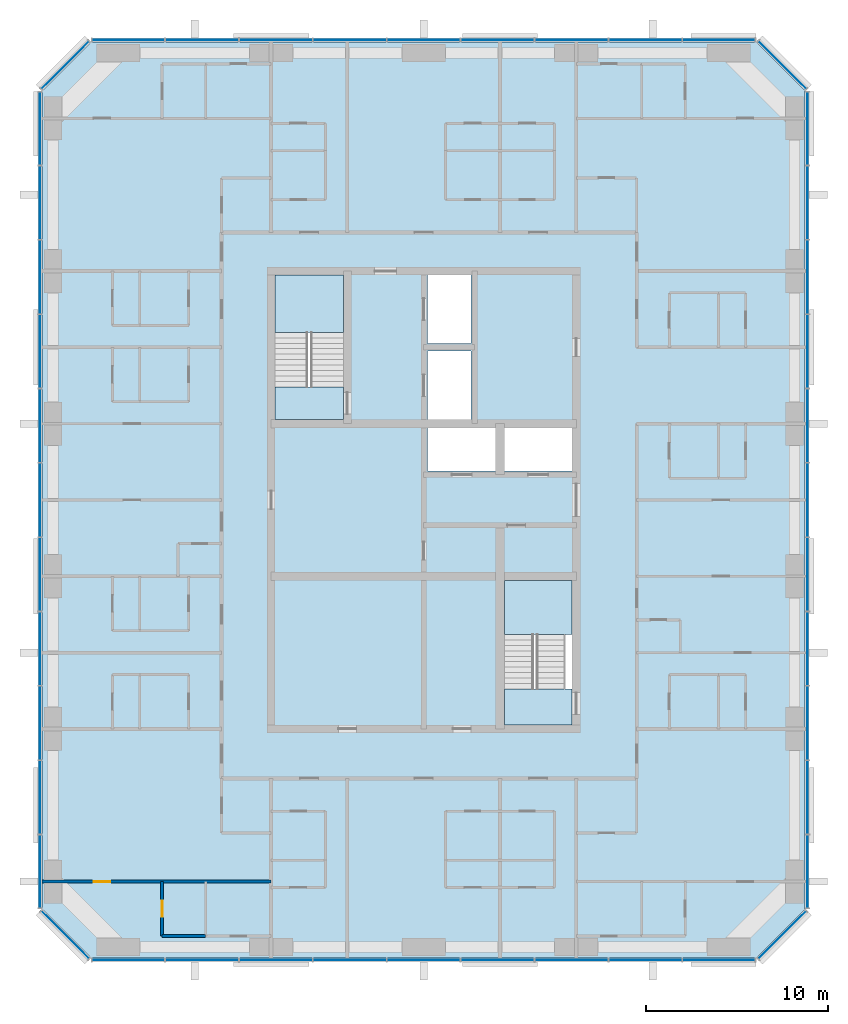
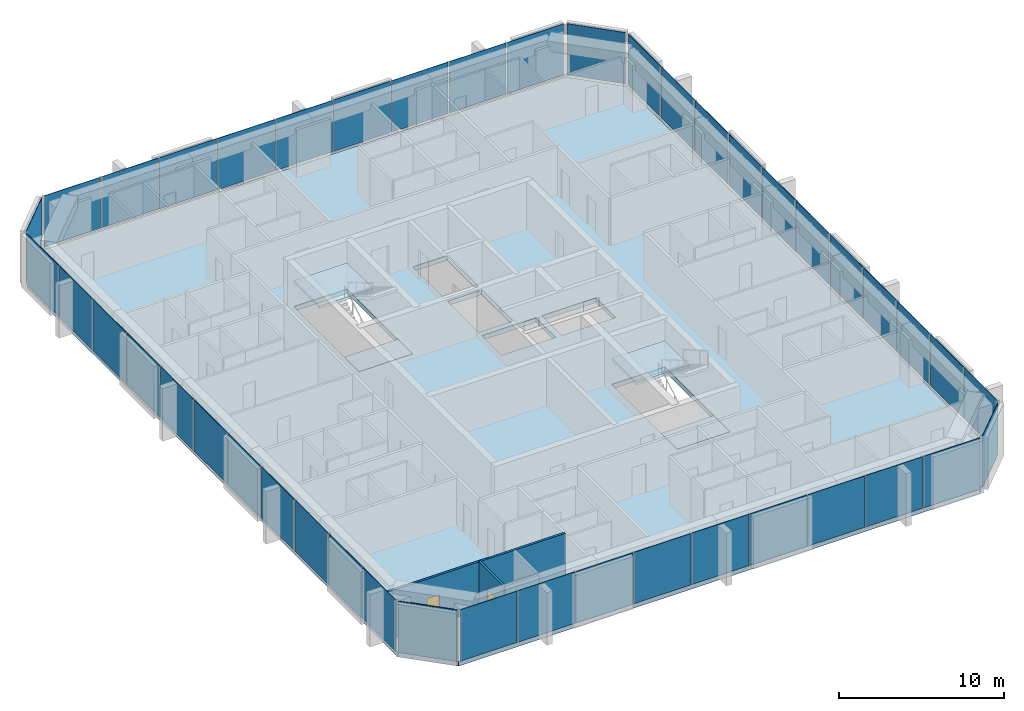
# One storey, part 6 of 12: 44 plates, 5 slabs, 3 walls, 2 doors, 2 openings, 10 elements without a shape of their own.
"""IFC4 building model written with IfcOpenShell, lengths in metres."""

from ifc_helpers import new_model, si_unit, direction, frame, frame_2d, origin, origin_2d, place, context, subcontext, project, spatial, polyline, rectangle, outline, extrude, material, layer, layer_set, type_object, element, fill, aggregate, save


model = new_model("IFC4")

# Units and contexts
model_context = context("Model", 3, precision=1e-05, world=origin(), true_north=direction((0.0, 1.0)))
body_context = subcontext(model_context, "Body", "Model", "MODEL_VIEW")
ifc_project = project(units=[si_unit("LENGTHUNIT", "METRE"), si_unit("AREAUNIT", "SQUARE_METRE"), si_unit("VOLUMEUNIT", "CUBIC_METRE"), si_unit("PLANEANGLEUNIT", "RADIAN"), si_unit("MASSUNIT", "GRAM", prefix="KILO")], contexts=[model_context])

# Site, building, storey
site_placement = place(None, origin())
site = spatial("IfcSite", under=ifc_project, at=site_placement, CompositionType="ELEMENT")
building_placement = place(site_placement, origin())
building = spatial("IfcBuilding", under=site, at=building_placement, Name="Dunama Terrace Hotel", CompositionType="ELEMENT")
storey_placement = place(building_placement, frame((0.0, 0.0, 272.39990234375)))
storey = spatial("IfcBuildingStorey", under=building, at=storey_placement, Name="L70", CompositionType="ELEMENT", Elevation=272.39990234375)

# Curtain wall, plates
ifc_material_1 = material(Name="Aluminium curtain wall system", Category="aluminium")
curtain_wall_type = type_object("IfcCurtainWallType", Name="Unitised fritted glass wall CW-D", PredefinedType="NOTDEFINED", material=ifc_material_1)
curtain_wall_1_placement = place(storey_placement, origin())
curtain_wall_1 = element("IfcCurtainWall", 1, at=curtain_wall_1_placement, inside=storey, type_object=curtain_wall_type, Name="Unitised fritted glass wall CW-D L70", PredefinedType="NOTDEFINED")
ifc_material_2 = material(Name="Laminated glass", Category="glass")
ifc_layer_1 = layer(ifc_material_2, 0.035888671875)
ifc_layer_set_1 = layer_set([ifc_layer_1], Name="CWD clear glass panel")
plate_type_1 = type_object("IfcPlateType", Name="CWD clear glass panel", PredefinedType="CURTAIN_PANEL", material=ifc_layer_set_1)
plate_1_placement = place(storey_placement, frame((17.35107421875, 4.080078125, 0.085205078125), z_axis=(0.0, 0.0, 1.0), x_axis=(1.0, 0.0, 0.0)))
plate_1 = element("IfcPlate", 2, at=plate_1_placement, type_object=plate_type_1, Name="CWD clear glass panel", PredefinedType="CURTAIN_PANEL", context=body_context, shape_type="SweptSolid", body=[
    extrude(rectangle(XDim=3.961669921875, YDim=0.035888671875, at=origin_2d()), origin(), (0.0, 0.0, 1.0), 3.81494140625),
])
plate_2_placement = place(storey_placement, frame((29.532958984375, 4.080078125, 0.085205078125), z_axis=(0.0, 0.0, 1.0), x_axis=(1.0, 0.0, 0.0)))
plate_2 = element("IfcPlate", 3, at=plate_2_placement, type_object=plate_type_1, Name="CWD clear glass panel", PredefinedType="CURTAIN_PANEL", context=body_context, shape_type="SweptSolid", body=[
    extrude(rectangle(XDim=3.99658203125, YDim=0.035888671875, at=origin_2d()), origin(), (0.0, 0.0, 1.0), 3.81494140625),
])
plate_3_placement = place(storey_placement, frame((41.73291015625, 4.080078125, 0.085205078125), z_axis=(0.0, 0.0, 1.0), x_axis=(1.0, 0.0, 0.0)))
plate_3 = element("IfcPlate", 4, at=plate_3_placement, type_object=plate_type_1, Name="CWD clear glass panel", PredefinedType="CURTAIN_PANEL", context=body_context, shape_type="SweptSolid", body=[
    extrude(rectangle(XDim=3.99658203125, YDim=0.035888671875, at=origin_2d()), origin(), (0.0, 0.0, 1.0), 3.81494140625),
])

# Curtain wall, plate
curtain_wall_2_placement = place(storey_placement, origin())
curtain_wall_2 = element("IfcCurtainWall", 5, at=curtain_wall_2_placement, inside=storey, type_object=curtain_wall_type, Name="Unitised fritted glass wall CW-D L70", PredefinedType="NOTDEFINED")
plate_4_placement = place(storey_placement, frame((53.3349609375, 5.465087890625, 0.085205078125), z_axis=(0.0, 0.0, 1.0), x_axis=(0.707106781187, 0.707106781187, 0.0)))
plate_4 = element("IfcPlate", 6, at=plate_4_placement, type_object=plate_type_1, Name="CWD clear glass panel", PredefinedType="CURTAIN_PANEL", context=body_context, shape_type="SweptSolid", body=[
    extrude(rectangle(XDim=3.678466796875, YDim=0.035888671875, at=origin_2d()), origin(), (0.0, 0.0, 1.0), 3.81494140625),
])
aggregate(curtain_wall_2, [plate_4])

# Curtain wall, plates
curtain_wall_3_placement = place(storey_placement, origin())
curtain_wall_3 = element("IfcCurtainWall", 7, at=curtain_wall_3_placement, inside=storey, type_object=curtain_wall_type, Name="Unitised fritted glass wall CW-D L70", PredefinedType="NOTDEFINED")
plate_5_placement = place(storey_placement, frame((54.719970703125, 17.126953125, 0.085205078125), z_axis=(0.0, 0.0, 1.0), x_axis=(0.0, 1.0, 0.0)))
plate_5 = element("IfcPlate", 8, at=plate_5_placement, type_object=plate_type_1, Name="CWD clear glass panel", PredefinedType="CURTAIN_PANEL", context=body_context, shape_type="SweptSolid", body=[
    extrude(rectangle(XDim=4.02099609375, YDim=0.035888671875, at=origin_2d()), origin(), (0.0, 0.0, 1.0), 3.81494140625),
])
plate_6_placement = place(storey_placement, frame((54.719970703125, 29.39990234375, 0.085205078125), z_axis=(0.0, 0.0, 1.0), x_axis=(0.0, 1.0, 0.0)))
plate_6 = element("IfcPlate", 9, at=plate_6_placement, type_object=plate_type_1, Name="CWD clear glass panel", PredefinedType="CURTAIN_PANEL", context=body_context, shape_type="SweptSolid", body=[
    extrude(rectangle(XDim=4.02099609375, YDim=0.035888671875, at=origin_2d()), origin(), (0.0, 0.0, 1.0), 3.81494140625),
])
plate_7_placement = place(storey_placement, frame((54.719970703125, 41.673095703125, 0.085205078125), z_axis=(0.0, 0.0, 1.0), x_axis=(0.0, 1.0, 0.0)))
plate_7 = element("IfcPlate", 10, at=plate_7_placement, type_object=plate_type_1, Name="CWD clear glass panel", PredefinedType="CURTAIN_PANEL", context=body_context, shape_type="SweptSolid", body=[
    extrude(rectangle(XDim=4.02099609375, YDim=0.035888671875, at=origin_2d()), origin(), (0.0, 0.0, 1.0), 3.81494140625),
])

# Curtain wall, plate
curtain_wall_4_placement = place(storey_placement, origin())
curtain_wall_4 = element("IfcCurtainWall", 11, at=curtain_wall_4_placement, inside=storey, type_object=curtain_wall_type, Name="Unitised fritted glass wall CW-D L70", PredefinedType="NOTDEFINED")
plate_8_placement = place(storey_placement, frame((53.3349609375, 53.3349609375, 0.085205078125), z_axis=(0.0, 0.0, 1.0), x_axis=(-0.707106781187, 0.707106781187, 0.0)))
plate_8 = element("IfcPlate", 12, at=plate_8_placement, type_object=plate_type_1, Name="CWD clear glass panel", PredefinedType="CURTAIN_PANEL", context=body_context, shape_type="SweptSolid", body=[
    extrude(rectangle(XDim=3.678466796875, YDim=0.035888671875, at=origin_2d()), origin(), (0.0, 0.0, 1.0), 3.81494140625),
])
aggregate(curtain_wall_4, [plate_8])

# Curtain wall, plates
curtain_wall_5_placement = place(storey_placement, origin())
curtain_wall_5 = element("IfcCurtainWall", 13, at=curtain_wall_5_placement, inside=storey, type_object=curtain_wall_type, Name="Unitised fritted glass wall CW-D L70", PredefinedType="NOTDEFINED")
plate_9_placement = place(storey_placement, frame((41.73291015625, 54.719970703125, 0.085205078125), z_axis=(0.0, 0.0, 1.0), x_axis=(-1.0, 0.0, 0.0)))
plate_9 = element("IfcPlate", 14, at=plate_9_placement, type_object=plate_type_1, Name="CWD clear glass panel", PredefinedType="CURTAIN_PANEL", context=body_context, shape_type="SweptSolid", body=[
    extrude(rectangle(XDim=3.99658203125, YDim=0.035888671875, at=origin_2d()), origin(), (0.0, 0.0, 1.0), 3.81494140625),
])
plate_10_placement = place(storey_placement, frame((29.532958984375, 54.719970703125, 0.085205078125), z_axis=(0.0, 0.0, 1.0), x_axis=(-1.0, 0.0, 0.0)))
plate_10 = element("IfcPlate", 15, at=plate_10_placement, type_object=plate_type_1, Name="CWD clear glass panel", PredefinedType="CURTAIN_PANEL", context=body_context, shape_type="SweptSolid", body=[
    extrude(rectangle(XDim=3.99658203125, YDim=0.035888671875, at=origin_2d()), origin(), (0.0, 0.0, 1.0), 3.81494140625),
])
plate_11_placement = place(storey_placement, frame((17.35107421875, 54.719970703125, 0.085205078125), z_axis=(0.0, 0.0, 1.0), x_axis=(-1.0, 0.0, 0.0)))
plate_11 = element("IfcPlate", 16, at=plate_11_placement, type_object=plate_type_1, Name="CWD clear glass panel", PredefinedType="CURTAIN_PANEL", context=body_context, shape_type="SweptSolid", body=[
    extrude(rectangle(XDim=3.961669921875, YDim=0.035888671875, at=origin_2d()), origin(), (0.0, 0.0, 1.0), 3.81494140625),
])

curtain_wall_6_placement = place(storey_placement, origin())
curtain_wall_6 = element("IfcCurtainWall", 17, at=curtain_wall_6_placement, inside=storey, type_object=curtain_wall_type, Name="Unitised fritted glass wall CW-D L70", PredefinedType="NOTDEFINED")
plate_12_placement = place(storey_placement, frame((12.47998046875, 45.763916015625, 0.085205078125), z_axis=(0.0, 0.0, 1.0), x_axis=(0.0, -1.0, 0.0)))
plate_12 = element("IfcPlate", 18, at=plate_12_placement, type_object=plate_type_1, Name="CWD clear glass panel", PredefinedType="CURTAIN_PANEL", context=body_context, shape_type="SweptSolid", body=[
    extrude(rectangle(XDim=4.02099609375, YDim=0.035888671875, at=origin_2d()), origin(), (0.0, 0.0, 1.0), 3.81494140625),
])
plate_13_placement = place(storey_placement, frame((12.47998046875, 33.490966796875, 0.085205078125), z_axis=(0.0, 0.0, 1.0), x_axis=(0.0, -1.0, 0.0)))
plate_13 = element("IfcPlate", 19, at=plate_13_placement, type_object=plate_type_1, Name="CWD clear glass panel", PredefinedType="CURTAIN_PANEL", context=body_context, shape_type="SweptSolid", body=[
    extrude(rectangle(XDim=4.02099609375, YDim=0.035888671875, at=origin_2d()), origin(), (0.0, 0.0, 1.0), 3.81494140625),
])
plate_14_placement = place(storey_placement, frame((12.47998046875, 21.218017578125, 0.085205078125), z_axis=(0.0, 0.0, 1.0), x_axis=(0.0, -1.0, 0.0)))
plate_14 = element("IfcPlate", 20, at=plate_14_placement, type_object=plate_type_1, Name="CWD clear glass panel", PredefinedType="CURTAIN_PANEL", context=body_context, shape_type="SweptSolid", body=[
    extrude(rectangle(XDim=4.02099609375, YDim=0.035888671875, at=origin_2d()), origin(), (0.0, 0.0, 1.0), 3.81494140625),
])
plate_15_placement = place(storey_placement, frame((12.47998046875, 8.962890625, 0.085205078125), z_axis=(0.0, 0.0, 1.0), x_axis=(0.0, -1.0, 0.0)))
plate_15 = element("IfcPlate", 21, at=plate_15_placement, type_object=plate_type_1, Name="CWD clear glass panel", PredefinedType="CURTAIN_PANEL", context=body_context, shape_type="SweptSolid", body=[
    extrude(rectangle(XDim=3.98583984375, YDim=0.035888671875, at=origin_2d()), origin(), (0.0, 0.0, 1.0), 3.81494140625),
])

# Plate
ifc_material_3 = material(Name="Fritted laminated glass", Category="glass")
ifc_layer_2 = layer(ifc_material_3, 0.035888671875)
ifc_layer_set_2 = layer_set([ifc_layer_2], Name="CWD fritted glass panel")
plate_type_2 = type_object("IfcPlateType", Name="CWD fritted glass panel", PredefinedType="CURTAIN_PANEL", material=ifc_layer_set_2)
plate_16_placement = place(storey_placement, frame((25.467041015625, 4.080078125, 0.085205078125), z_axis=(0.0, 0.0, 1.0), x_axis=(1.0, 0.0, 0.0)))
plate_16 = element("IfcPlate", 22, at=plate_16_placement, type_object=plate_type_2, Name="CWD fritted glass panel", PredefinedType="CURTAIN_PANEL", context=body_context, shape_type="SweptSolid", body=[
    extrude(rectangle(XDim=3.99658203125, YDim=0.035888671875, at=origin_2d()), origin(), (0.0, 0.0, 1.0), 3.81494140625),
])

plate_17_placement = place(storey_placement, frame((37.6669921875, 4.080078125, 0.085205078125), z_axis=(0.0, 0.0, 1.0), x_axis=(1.0, 0.0, 0.0)))
plate_17 = element("IfcPlate", 23, at=plate_17_placement, type_object=plate_type_2, Name="CWD fritted glass panel", PredefinedType="CURTAIN_PANEL", context=body_context, shape_type="SweptSolid", body=[
    extrude(rectangle(XDim=3.99658203125, YDim=0.035888671875, at=origin_2d()), origin(), (0.0, 0.0, 1.0), 3.81494140625),
])

plate_18_placement = place(storey_placement, frame((49.84912109375, 4.080078125, 0.085205078125), z_axis=(0.0, 0.0, 1.0), x_axis=(1.0, 0.0, 0.0)))
plate_18 = element("IfcPlate", 24, at=plate_18_placement, type_object=plate_type_2, Name="CWD fritted glass panel", PredefinedType="CURTAIN_PANEL", context=body_context, shape_type="SweptSolid", body=[
    extrude(rectangle(XDim=3.961669921875, YDim=0.035888671875, at=origin_2d()), origin(), (0.0, 0.0, 1.0), 3.81494140625),
])

plate_19_placement = place(storey_placement, frame((54.719970703125, 13.035888671875, 0.085205078125), z_axis=(0.0, 0.0, 1.0), x_axis=(0.0, 1.0, 0.0)))
plate_19 = element("IfcPlate", 25, at=plate_19_placement, type_object=plate_type_2, Name="CWD fritted glass panel", PredefinedType="CURTAIN_PANEL", context=body_context, shape_type="SweptSolid", body=[
    extrude(rectangle(XDim=4.02099609375, YDim=0.035888671875, at=origin_2d()), origin(), (0.0, 0.0, 1.0), 3.81494140625),
])

plate_20_placement = place(storey_placement, frame((54.719970703125, 25.30908203125, 0.085205078125), z_axis=(0.0, 0.0, 1.0), x_axis=(0.0, 1.0, 0.0)))
plate_20 = element("IfcPlate", 26, at=plate_20_placement, type_object=plate_type_2, Name="CWD fritted glass panel", PredefinedType="CURTAIN_PANEL", context=body_context, shape_type="SweptSolid", body=[
    extrude(rectangle(XDim=4.02099609375, YDim=0.035888671875, at=origin_2d()), origin(), (0.0, 0.0, 1.0), 3.81494140625),
])

plate_21_placement = place(storey_placement, frame((54.719970703125, 37.58203125, 0.085205078125), z_axis=(0.0, 0.0, 1.0), x_axis=(0.0, 1.0, 0.0)))
plate_21 = element("IfcPlate", 27, at=plate_21_placement, type_object=plate_type_2, Name="CWD fritted glass panel", PredefinedType="CURTAIN_PANEL", context=body_context, shape_type="SweptSolid", body=[
    extrude(rectangle(XDim=4.02099609375, YDim=0.035888671875, at=origin_2d()), origin(), (0.0, 0.0, 1.0), 3.81494140625),
])

plate_22_placement = place(storey_placement, frame((54.719970703125, 49.8369140625, 0.085205078125), z_axis=(0.0, 0.0, 1.0), x_axis=(0.0, 1.0, 0.0)))
plate_22 = element("IfcPlate", 28, at=plate_22_placement, type_object=plate_type_2, Name="CWD fritted glass panel", PredefinedType="CURTAIN_PANEL", context=body_context, shape_type="SweptSolid", body=[
    extrude(rectangle(XDim=3.98583984375, YDim=0.035888671875, at=origin_2d()), origin(), (0.0, 0.0, 1.0), 3.81494140625),
])

plate_23_placement = place(storey_placement, frame((45.800048828125, 54.719970703125, 0.085205078125), z_axis=(0.0, 0.0, 1.0), x_axis=(-1.0, 0.0, 0.0)))
plate_23 = element("IfcPlate", 29, at=plate_23_placement, type_object=plate_type_2, Name="CWD fritted glass panel", PredefinedType="CURTAIN_PANEL", context=body_context, shape_type="SweptSolid", body=[
    extrude(rectangle(XDim=3.99658203125, YDim=0.035888671875, at=origin_2d()), origin(), (0.0, 0.0, 1.0), 3.81494140625),
])

plate_24_placement = place(storey_placement, frame((33.60009765625, 54.719970703125, 0.085205078125), z_axis=(0.0, 0.0, 1.0), x_axis=(-1.0, 0.0, 0.0)))
plate_24 = element("IfcPlate", 30, at=plate_24_placement, type_object=plate_type_2, Name="CWD fritted glass panel", PredefinedType="CURTAIN_PANEL", context=body_context, shape_type="SweptSolid", body=[
    extrude(rectangle(XDim=3.99658203125, YDim=0.035888671875, at=origin_2d()), origin(), (0.0, 0.0, 1.0), 3.81494140625),
])

plate_25_placement = place(storey_placement, frame((21.39990234375, 54.719970703125, 0.085205078125), z_axis=(0.0, 0.0, 1.0), x_axis=(-1.0, 0.0, 0.0)))
plate_25 = element("IfcPlate", 31, at=plate_25_placement, type_object=plate_type_2, Name="CWD fritted glass panel", PredefinedType="CURTAIN_PANEL", context=body_context, shape_type="SweptSolid", body=[
    extrude(rectangle(XDim=3.99658203125, YDim=0.035888671875, at=origin_2d()), origin(), (0.0, 0.0, 1.0), 3.81494140625),
])

plate_26_placement = place(storey_placement, frame((12.47998046875, 49.8369140625, 0.085205078125), z_axis=(0.0, 0.0, 1.0), x_axis=(0.0, -1.0, 0.0)))
plate_26 = element("IfcPlate", 32, at=plate_26_placement, type_object=plate_type_2, Name="CWD fritted glass panel", PredefinedType="CURTAIN_PANEL", context=body_context, shape_type="SweptSolid", body=[
    extrude(rectangle(XDim=3.98583984375, YDim=0.035888671875, at=origin_2d()), origin(), (0.0, 0.0, 1.0), 3.81494140625),
])

plate_27_placement = place(storey_placement, frame((12.47998046875, 37.58203125, 0.085205078125), z_axis=(0.0, 0.0, 1.0), x_axis=(0.0, -1.0, 0.0)))
plate_27 = element("IfcPlate", 33, at=plate_27_placement, type_object=plate_type_2, Name="CWD fritted glass panel", PredefinedType="CURTAIN_PANEL", context=body_context, shape_type="SweptSolid", body=[
    extrude(rectangle(XDim=4.02099609375, YDim=0.035888671875, at=origin_2d()), origin(), (0.0, 0.0, 1.0), 3.81494140625),
])

plate_28_placement = place(storey_placement, frame((12.47998046875, 25.30908203125, 0.085205078125), z_axis=(0.0, 0.0, 1.0), x_axis=(0.0, -1.0, 0.0)))
plate_28 = element("IfcPlate", 34, at=plate_28_placement, type_object=plate_type_2, Name="CWD fritted glass panel", PredefinedType="CURTAIN_PANEL", context=body_context, shape_type="SweptSolid", body=[
    extrude(rectangle(XDim=4.02099609375, YDim=0.035888671875, at=origin_2d()), origin(), (0.0, 0.0, 1.0), 3.81494140625),
])

plate_29_placement = place(storey_placement, frame((12.47998046875, 13.035888671875, 0.085205078125), z_axis=(0.0, 0.0, 1.0), x_axis=(0.0, -1.0, 0.0)))
plate_29 = element("IfcPlate", 35, at=plate_29_placement, type_object=plate_type_2, Name="CWD fritted glass panel", PredefinedType="CURTAIN_PANEL", context=body_context, shape_type="SweptSolid", body=[
    extrude(rectangle(XDim=4.02099609375, YDim=0.035888671875, at=origin_2d()), origin(), (0.0, 0.0, 1.0), 3.81494140625),
])

ifc_material_4 = material(Name="Laminated glass", Category="glass")
ifc_layer_3 = layer(ifc_material_4, 0.035888671875)
ifc_layer_set_3 = layer_set([ifc_layer_3], Name="CWD operable glass panel")
plate_type_3 = type_object("IfcPlateType", Name="CWD operable glass panel", PredefinedType="CURTAIN_PANEL", material=ifc_layer_set_3)
plate_30_placement = place(storey_placement, frame((21.39990234375, 4.080078125, 0.085205078125), z_axis=(0.0, 0.0, 1.0), x_axis=(1.0, 0.0, 0.0)))
plate_30 = element("IfcPlate", 36, at=plate_30_placement, type_object=plate_type_3, Name="CWD operable glass panel", PredefinedType="CURTAIN_PANEL", context=body_context, shape_type="SweptSolid", body=[
    extrude(rectangle(XDim=3.99658203125, YDim=0.035888671875, at=origin_2d()), origin(), (0.0, 0.0, 1.0), 3.81494140625),
])

plate_31_placement = place(storey_placement, frame((33.60009765625, 4.080078125, 0.085205078125), z_axis=(0.0, 0.0, 1.0), x_axis=(1.0, 0.0, 0.0)))
plate_31 = element("IfcPlate", 37, at=plate_31_placement, type_object=plate_type_3, Name="CWD operable glass panel", PredefinedType="CURTAIN_PANEL", context=body_context, shape_type="SweptSolid", body=[
    extrude(rectangle(XDim=3.99658203125, YDim=0.035888671875, at=origin_2d()), origin(), (0.0, 0.0, 1.0), 3.81494140625),
])

plate_32_placement = place(storey_placement, frame((45.800048828125, 4.080078125, 0.085205078125), z_axis=(0.0, 0.0, 1.0), x_axis=(1.0, 0.0, 0.0)))
plate_32 = element("IfcPlate", 38, at=plate_32_placement, type_object=plate_type_3, Name="CWD operable glass panel", PredefinedType="CURTAIN_PANEL", context=body_context, shape_type="SweptSolid", body=[
    extrude(rectangle(XDim=3.99658203125, YDim=0.035888671875, at=origin_2d()), origin(), (0.0, 0.0, 1.0), 3.81494140625),
])

aggregate(curtain_wall_1, [plate_1, plate_30, plate_16, plate_2, plate_31, plate_17, plate_3, plate_32, plate_18])

plate_33_placement = place(storey_placement, frame((54.719970703125, 8.962890625, 0.085205078125), z_axis=(0.0, 0.0, 1.0), x_axis=(0.0, 1.0, 0.0)))
plate_33 = element("IfcPlate", 39, at=plate_33_placement, type_object=plate_type_3, Name="CWD operable glass panel", PredefinedType="CURTAIN_PANEL", context=body_context, shape_type="SweptSolid", body=[
    extrude(rectangle(XDim=3.98583984375, YDim=0.035888671875, at=origin_2d()), origin(), (0.0, 0.0, 1.0), 3.81494140625),
])

plate_34_placement = place(storey_placement, frame((54.719970703125, 21.218017578125, 0.085205078125), z_axis=(0.0, 0.0, 1.0), x_axis=(0.0, 1.0, 0.0)))
plate_34 = element("IfcPlate", 40, at=plate_34_placement, type_object=plate_type_3, Name="CWD operable glass panel", PredefinedType="CURTAIN_PANEL", context=body_context, shape_type="SweptSolid", body=[
    extrude(rectangle(XDim=4.02099609375, YDim=0.035888671875, at=origin_2d()), origin(), (0.0, 0.0, 1.0), 3.81494140625),
])

plate_35_placement = place(storey_placement, frame((54.719970703125, 33.490966796875, 0.085205078125), z_axis=(0.0, 0.0, 1.0), x_axis=(0.0, 1.0, 0.0)))
plate_35 = element("IfcPlate", 41, at=plate_35_placement, type_object=plate_type_3, Name="CWD operable glass panel", PredefinedType="CURTAIN_PANEL", context=body_context, shape_type="SweptSolid", body=[
    extrude(rectangle(XDim=4.02099609375, YDim=0.035888671875, at=origin_2d()), origin(), (0.0, 0.0, 1.0), 3.81494140625),
])

plate_36_placement = place(storey_placement, frame((54.719970703125, 45.763916015625, 0.085205078125), z_axis=(0.0, 0.0, 1.0), x_axis=(0.0, 1.0, 0.0)))
plate_36 = element("IfcPlate", 42, at=plate_36_placement, type_object=plate_type_3, Name="CWD operable glass panel", PredefinedType="CURTAIN_PANEL", context=body_context, shape_type="SweptSolid", body=[
    extrude(rectangle(XDim=4.02099609375, YDim=0.035888671875, at=origin_2d()), origin(), (0.0, 0.0, 1.0), 3.81494140625),
])

aggregate(curtain_wall_3, [plate_33, plate_19, plate_5, plate_34, plate_20, plate_6, plate_35, plate_21, plate_7, plate_36, plate_22])

plate_37_placement = place(storey_placement, frame((49.84912109375, 54.719970703125, 0.085205078125), z_axis=(0.0, 0.0, 1.0), x_axis=(-1.0, 0.0, 0.0)))
plate_37 = element("IfcPlate", 43, at=plate_37_placement, type_object=plate_type_3, Name="CWD operable glass panel", PredefinedType="CURTAIN_PANEL", context=body_context, shape_type="SweptSolid", body=[
    extrude(rectangle(XDim=3.961669921875, YDim=0.035888671875, at=origin_2d()), origin(), (0.0, 0.0, 1.0), 3.81494140625),
])

plate_38_placement = place(storey_placement, frame((37.6669921875, 54.719970703125, 0.085205078125), z_axis=(0.0, 0.0, 1.0), x_axis=(-1.0, 0.0, 0.0)))
plate_38 = element("IfcPlate", 44, at=plate_38_placement, type_object=plate_type_3, Name="CWD operable glass panel", PredefinedType="CURTAIN_PANEL", context=body_context, shape_type="SweptSolid", body=[
    extrude(rectangle(XDim=3.99658203125, YDim=0.035888671875, at=origin_2d()), origin(), (0.0, 0.0, 1.0), 3.81494140625),
])

plate_39_placement = place(storey_placement, frame((25.467041015625, 54.719970703125, 0.085205078125), z_axis=(0.0, 0.0, 1.0), x_axis=(-1.0, 0.0, 0.0)))
plate_39 = element("IfcPlate", 45, at=plate_39_placement, type_object=plate_type_3, Name="CWD operable glass panel", PredefinedType="CURTAIN_PANEL", context=body_context, shape_type="SweptSolid", body=[
    extrude(rectangle(XDim=3.99658203125, YDim=0.035888671875, at=origin_2d()), origin(), (0.0, 0.0, 1.0), 3.81494140625),
])

aggregate(curtain_wall_5, [plate_37, plate_23, plate_9, plate_38, plate_24, plate_10, plate_39, plate_25, plate_11])

# Curtain wall, plate
curtain_wall_7_placement = place(storey_placement, origin())
curtain_wall_7 = element("IfcCurtainWall", 46, at=curtain_wall_7_placement, inside=storey, type_object=curtain_wall_type, Name="Unitised fritted glass wall CW-D L70", PredefinedType="NOTDEFINED")
plate_40_placement = place(storey_placement, frame((13.864990234375, 53.3349609375, 0.085205078125), z_axis=(0.0, 0.0, 1.0), x_axis=(-0.707106781187, -0.707106781187, 0.0)))
plate_40 = element("IfcPlate", 47, at=plate_40_placement, type_object=plate_type_3, Name="CWD operable glass panel", PredefinedType="CURTAIN_PANEL", context=body_context, shape_type="SweptSolid", body=[
    extrude(rectangle(XDim=3.678466796875, YDim=0.035888671875, at=origin_2d()), origin(), (0.0, 0.0, 1.0), 3.81494140625),
])
aggregate(curtain_wall_7, [plate_40])

# Plate
plate_41_placement = place(storey_placement, frame((12.47998046875, 41.673095703125, 0.085205078125), z_axis=(0.0, 0.0, 1.0), x_axis=(0.0, -1.0, 0.0)))
plate_41 = element("IfcPlate", 48, at=plate_41_placement, type_object=plate_type_3, Name="CWD operable glass panel", PredefinedType="CURTAIN_PANEL", context=body_context, shape_type="SweptSolid", body=[
    extrude(rectangle(XDim=4.02099609375, YDim=0.035888671875, at=origin_2d()), origin(), (0.0, 0.0, 1.0), 3.81494140625),
])

plate_42_placement = place(storey_placement, frame((12.47998046875, 29.39990234375, 0.085205078125), z_axis=(0.0, 0.0, 1.0), x_axis=(0.0, -1.0, 0.0)))
plate_42 = element("IfcPlate", 49, at=plate_42_placement, type_object=plate_type_3, Name="CWD operable glass panel", PredefinedType="CURTAIN_PANEL", context=body_context, shape_type="SweptSolid", body=[
    extrude(rectangle(XDim=4.02099609375, YDim=0.035888671875, at=origin_2d()), origin(), (0.0, 0.0, 1.0), 3.81494140625),
])

plate_43_placement = place(storey_placement, frame((12.47998046875, 17.126953125, 0.085205078125), z_axis=(0.0, 0.0, 1.0), x_axis=(0.0, -1.0, 0.0)))
plate_43 = element("IfcPlate", 50, at=plate_43_placement, type_object=plate_type_3, Name="CWD operable glass panel", PredefinedType="CURTAIN_PANEL", context=body_context, shape_type="SweptSolid", body=[
    extrude(rectangle(XDim=4.02099609375, YDim=0.035888671875, at=origin_2d()), origin(), (0.0, 0.0, 1.0), 3.81494140625),
])

aggregate(curtain_wall_6, [plate_26, plate_12, plate_41, plate_27, plate_13, plate_42, plate_28, plate_14, plate_43, plate_29, plate_15])

# Curtain wall, plate
curtain_wall_8_placement = place(storey_placement, origin())
curtain_wall_8 = element("IfcCurtainWall", 51, at=curtain_wall_8_placement, inside=storey, type_object=curtain_wall_type, Name="Unitised fritted glass wall CW-D L70", PredefinedType="NOTDEFINED")
plate_44_placement = place(storey_placement, frame((13.864990234375, 5.465087890625, 0.085205078125), z_axis=(0.0, 0.0, 1.0), x_axis=(0.707106781187, -0.707106781187, 0.0)))
plate_44 = element("IfcPlate", 52, at=plate_44_placement, type_object=plate_type_3, Name="CWD operable glass panel", PredefinedType="CURTAIN_PANEL", context=body_context, shape_type="SweptSolid", body=[
    extrude(rectangle(XDim=3.678466796875, YDim=0.035888671875, at=origin_2d()), origin(), (0.0, 0.0, 1.0), 3.81494140625),
])
aggregate(curtain_wall_8, [plate_44])

# Slab
ifc_material_5 = material(Name="Concrete C40/50", Category="concrete")
ifc_layer_4 = layer(ifc_material_5, 0.35009765625)
ifc_layer_set_4 = layer_set([ifc_layer_4], Name="Flat plate 350")
slab_type_1 = type_object("IfcSlabType", Name="Flat plate 350", PredefinedType="FLOOR", material=ifc_layer_set_4)
slab_1_placement = place(storey_placement, frame((0.0, 0.0, -0.349853515625)))
element("IfcSlab", 53, at=slab_1_placement, inside=storey, type_object=slab_type_1, Name="Floor slab L70", PredefinedType="FLOOR", context=body_context, shape_type="SweptSolid", body=[
    extrude(outline(polyline([(15.300048828125, 4.199951171875), (51.89990234375, 4.199951171875), (54.60009765625, 6.89990234375), (54.60009765625, 51.89990234375), (51.89990234375, 54.60009765625), (15.300048828125, 54.60009765625), (12.60009765625, 51.89990234375), (12.60009765625, 6.89990234375), (15.300048828125, 4.199951171875)]), holes=[polyline([(37.60009765625, 31.0), (37.60009765625, 33.39990234375), (33.800048828125, 33.39990234375), (33.800048828125, 31.0), (37.60009765625, 31.0)]), polyline([(41.800048828125, 31.0), (41.800048828125, 33.39990234375), (38.0, 33.39990234375), (38.0, 31.0), (41.800048828125, 31.0)]), polyline([(36.199951171875, 38.0), (36.199951171875, 41.800048828125), (33.800048828125, 41.800048828125), (33.800048828125, 38.0), (36.199951171875, 38.0)]), polyline([(36.199951171875, 33.800048828125), (36.199951171875, 37.60009765625), (33.800048828125, 37.60009765625), (33.800048828125, 33.800048828125), (36.199951171875, 33.800048828125)]), polyline([(29.175048828125, 33.824951171875), (29.175048828125, 41.77490234375), (25.425048828125, 41.77490234375), (25.425048828125, 33.824951171875), (29.175048828125, 33.824951171875)]), polyline([(41.77490234375, 17.02490234375), (41.77490234375, 24.97509765625), (38.050048828125, 24.97509765625), (38.050048828125, 17.02490234375), (41.77490234375, 17.02490234375)])]), origin(), (0.0, 0.0, 1.0), 0.349853515625),
])

# Stair, slabs
ifc_material_6 = material(Name="Concrete C40/50", Category="concrete")
stair_type_1 = type_object("IfcStairType", Name="Stair ST1-3900-1800", PredefinedType="HALF_TURN_STAIR", material=ifc_material_6)
stair_1_placement = place(storey_placement, origin())
stair_1 = element("IfcStair", 54, at=stair_1_placement, inside=storey, type_object=stair_type_1, Name="Stair ST1 L70", PredefinedType="HALF_TURN_STAIR")
ifc_material_7 = material(Name="Concrete C40/50", Category="concrete")
ifc_layer_5 = layer(ifc_material_7, 0.199951171875)
ifc_layer_set_5 = layer_set([ifc_layer_5], Name="Stair landing 200")
slab_type_2 = type_object("IfcSlabType", Name="Stair landing 200", PredefinedType="LANDING", material=ifc_layer_set_5)
slab_2_placement = place(storey_placement, frame((0.0, 0.0, -0.199951171875)))
slab_2 = element("IfcSlab", 55, at=slab_2_placement, type_object=slab_type_2, Name="ST1 landing 1, type S10", PredefinedType="LANDING", context=body_context, shape_type="SweptSolid", body=[
    extrude(outline(polyline([(25.425048828125, 33.824951171875), (29.175048828125, 33.824951171875), (29.175048828125, 35.625), (25.425048828125, 35.625), (25.425048828125, 33.824951171875)])), origin(), (0.0, 0.0, 1.0), 0.199951171875),
])
slab_3_placement = place(storey_placement, frame((0.0, 0.0, 1.75)))
slab_3 = element("IfcSlab", 56, at=slab_3_placement, type_object=slab_type_2, Name="ST1 landing 2, type S10", PredefinedType="LANDING", context=body_context, shape_type="SweptSolid", body=[
    extrude(outline(polyline([(25.425048828125, 38.625), (29.175048828125, 38.625), (29.175048828125, 41.77490234375), (25.425048828125, 41.77490234375), (25.425048828125, 38.625)])), origin(), (0.0, 0.0, 1.0), 0.2001953125),
])
aggregate(stair_1, [slab_2, slab_3])

ifc_material_8 = material(Name="Concrete C40/50", Category="concrete")
stair_type_2 = type_object("IfcStairType", Name="Stair ST2-3900-1600", PredefinedType="HALF_TURN_STAIR", material=ifc_material_8)
stair_2_placement = place(storey_placement, origin())
stair_2 = element("IfcStair", 57, at=stair_2_placement, inside=storey, type_object=stair_type_2, Name="Stair ST2 L70", PredefinedType="HALF_TURN_STAIR")
slab_4_placement = place(storey_placement, frame((0.0, 0.0, -0.199951171875)))
slab_4 = element("IfcSlab", 58, at=slab_4_placement, type_object=slab_type_2, Name="ST2 landing 1, type S10", PredefinedType="LANDING", context=body_context, shape_type="SweptSolid", body=[
    extrude(outline(polyline([(38.050048828125, 17.02490234375), (41.77490234375, 17.02490234375), (41.77490234375, 19.0), (38.050048828125, 19.0), (38.050048828125, 17.02490234375)])), origin(), (0.0, 0.0, 1.0), 0.199951171875),
])
slab_5_placement = place(storey_placement, frame((0.0, 0.0, 1.75)))
slab_5 = element("IfcSlab", 59, at=slab_5_placement, type_object=slab_type_2, Name="ST2 landing 2, type S10", PredefinedType="LANDING", context=body_context, shape_type="SweptSolid", body=[
    extrude(outline(polyline([(38.050048828125, 22.0), (41.77490234375, 22.0), (41.77490234375, 24.97509765625), (38.050048828125, 24.97509765625), (38.050048828125, 22.0)])), origin(), (0.0, 0.0, 1.0), 0.2001953125),
])
aggregate(stair_2, [slab_4, slab_5])

# Wall, opening, door
ifc_material_9 = material(Name="Gypsum board partition", Category="masonry")
ifc_layer_6 = layer(ifc_material_9, 0.14990234375)
ifc_layer_set_6 = layer_set([ifc_layer_6], Name="Room partition 150")
wall_type = type_object("IfcWallType", Name="Room partition 150", PredefinedType="PARTITIONING", material=ifc_layer_set_6)
wall_1_placement = place(storey_placement, frame((19.199951171875, 5.39990234375, 0.0), z_axis=(0.0, 0.0, 1.0), x_axis=(0.0, 1.0, 0.0)))
wall_1 = element("IfcWall", 60, at=wall_1_placement, inside=storey, type_object=wall_type, Name="Room partition 150 L70", PredefinedType="PARTITIONING", context=body_context, shape_type="SweptSolid", body=[
    extrude(rectangle(XDim=3.0, YDim=0.14990234375, at=frame_2d((1.5, 0.0))), origin(), (0.0, 0.0, 1.0), 3.550048828125),
])
opening_1_placement = place(wall_1_placement, frame((1.050048828125, 0.0, 0.0)))
opening_1 = element("IfcOpeningElement", 61, at=opening_1_placement, cuts=wall_1, Name="Opening L68-70-056", PredefinedType="OPENING", context=body_context, shape_type="SweptSolid", body=[
    extrude(rectangle(XDim=0.89990234375, YDim=2.10009765625, at=frame_2d((0.449951171875, 1.050048828125))), frame((0.0, 0.0849609375, 0.0), z_axis=(0.0, -1.0, 0.0), x_axis=(1.0, 0.0, 0.0)), (0.0, 0.0, 1.0), 0.169921875),
])
ifc_material_10 = material(Name="Timber door with steel frame", Category="steel")
door_type = type_object("IfcDoorType", Name="Suite internal door 900", OperationType="SINGLE_SWING_LEFT", PredefinedType="DOOR", material=ifc_material_10)
door_1_placement = place(opening_1_placement, frame((0.89990234375, 0.0, 0.0), z_axis=(0.0, 0.0, 1.0), x_axis=(-1.0, 0.0, 0.0)))
door_1 = element("IfcDoor", 62, at=door_1_placement, inside=storey, type_object=door_type, Name="Door to dressing room L68-70-056, type D16", OperationType="SINGLE_SWING_RIGHT", OverallHeight=2.10009765625, OverallWidth=0.89990234375, PredefinedType="DOOR", context=body_context, shape_type="SweptSolid", body=[
    extrude(rectangle(XDim=0.89990234375, YDim=2.10009765625, at=frame_2d((0.449951171875, 1.050048828125))), frame((0.0, 0.025146484375, 0.0), z_axis=(0.0, -1.0, 0.0), x_axis=(1.0, 0.0, 0.0)), (0.0, 0.0, 1.0), 0.050048828125),
])
fill(opening_1, door_1)

# Wall
wall_2_placement = place(storey_placement, frame((19.199951171875, 5.39990234375, 0.0), z_axis=(0.0, 0.0, 1.0), x_axis=(1.0, 0.0, 0.0)))
element("IfcWall", 63, at=wall_2_placement, inside=storey, type_object=wall_type, Name="Room partition 150 L70", PredefinedType="PARTITIONING", context=body_context, shape_type="SweptSolid", body=[
    extrude(rectangle(XDim=2.400146484375, YDim=0.14990234375, at=frame_2d((1.2001953125, 0.0))), origin(), (0.0, 0.0, 1.0), 3.550048828125),
])

# Wall, opening, door
wall_3_placement = place(storey_placement, frame((12.58203125, 8.39990234375, 0.0), z_axis=(0.0, 0.0, 1.0), x_axis=(1.0, 0.0, 0.0)))
wall_3 = element("IfcWall", 64, at=wall_3_placement, inside=storey, type_object=wall_type, Name="Room partition 150 L70", PredefinedType="PARTITIONING", context=body_context, shape_type="SweptSolid", body=[
    extrude(rectangle(XDim=12.617919921875, YDim=0.14990234375, at=frame_2d((6.30908203125, 0.0))), origin(), (0.0, 0.0, 1.0), 3.550048828125),
])
opening_2_placement = place(wall_3_placement, frame((2.867919921875, 0.0, 0.0)))
opening_2 = element("IfcOpeningElement", 65, at=opening_2_placement, cuts=wall_3, Name="Opening L68-70-054", PredefinedType="OPENING", context=body_context, shape_type="SweptSolid", body=[
    extrude(rectangle(XDim=0.89990234375, YDim=2.10009765625, at=frame_2d((0.449951171875, 1.050048828125))), frame((0.0, 0.0849609375, 0.0), z_axis=(0.0, -1.0, 0.0), x_axis=(1.0, 0.0, 0.0)), (0.0, 0.0, 1.0), 0.169921875),
])
door_2_placement = place(opening_2_placement, frame((0.89990234375, 0.0, 0.0), z_axis=(0.0, 0.0, 1.0), x_axis=(-1.0, 0.0, 0.0)))
door_2 = element("IfcDoor", 66, at=door_2_placement, inside=storey, type_object=door_type, Name="Door to grand corner suite bedroom L68-70-054, type D16", OperationType="SINGLE_SWING_RIGHT", OverallHeight=2.10009765625, OverallWidth=0.89990234375, PredefinedType="DOOR", context=body_context, shape_type="SweptSolid", body=[
    extrude(rectangle(XDim=0.89990234375, YDim=2.10009765625, at=frame_2d((0.449951171875, 1.050048828125))), frame((0.0, 0.025146484375, 0.0), z_axis=(0.0, -1.0, 0.0), x_axis=(1.0, 0.0, 0.0)), (0.0, 0.0, 1.0), 0.050048828125),
])
fill(opening_2, door_2)

save(model, "model.ifc")
